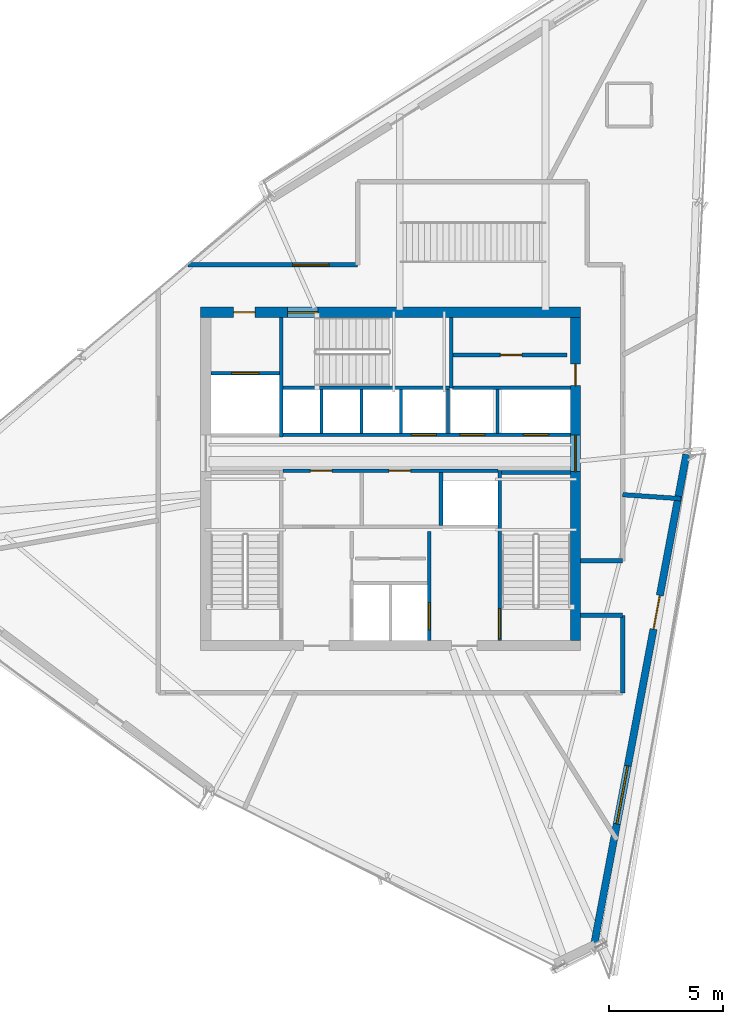
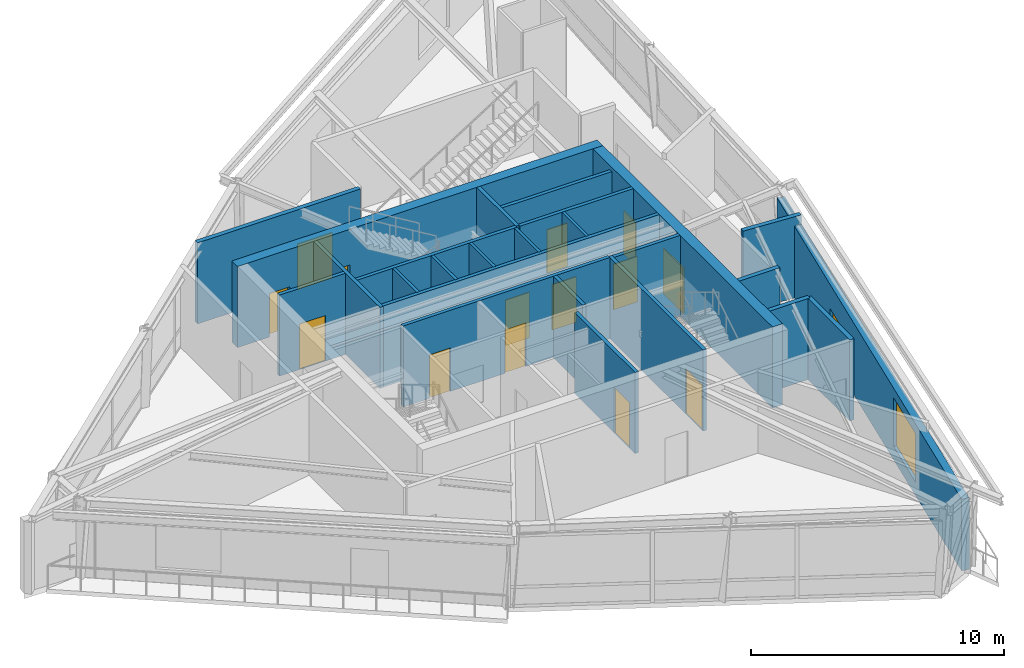
# One storey, part 17 of 21: 25 walls, 15 doors, 1 window, 16 openings.
"""IFC4 building model written with IfcOpenShell, lengths in metres."""

from ifc_helpers import new_model, si_unit, direction, frame, frame_2d, origin, place, context, subcontext, project, spatial, rectangle, extrude, source, transform, mapped, material, layer, layer_set, type_object, type_shapes, element, fill, save


model = new_model("IFC4")

# Units and contexts
model_context = context("Model", 3, precision=1e-05, world=origin(), true_north=direction((0.0, 1.0)))
body_context = subcontext(model_context, "Body", "Model", "MODEL_VIEW")
ifc_project = project(units=[si_unit("LENGTHUNIT", "METRE"), si_unit("AREAUNIT", "SQUARE_METRE"), si_unit("VOLUMEUNIT", "CUBIC_METRE"), si_unit("PLANEANGLEUNIT", "RADIAN"), si_unit("MASSUNIT", "GRAM", prefix="KILO")], contexts=[model_context])

# Site, building, storey
site_placement = place(None, origin())
site = spatial("IfcSite", under=ifc_project, at=site_placement, CompositionType="ELEMENT")
building_placement = place(site_placement, origin())
building = spatial("IfcBuilding", under=site, at=building_placement, Name="Olszyna Solenne Hotel", CompositionType="ELEMENT")
storey_placement = place(building_placement, frame((0.0, 0.0, 277.699951171875)))
storey = spatial("IfcBuildingStorey", under=building, at=storey_placement, Name="L74", CompositionType="ELEMENT", Elevation=277.699951171875)

# Wall, openings, doors
ifc_material_1 = material(Name="Concrete C50/60", Category="concrete")
ifc_layer_1 = layer(ifc_material_1, 0.449951171875, Name="Concrete C50/60")
ifc_layer_set_1 = layer_set([ifc_layer_1], Name="Concrete C50/60")
wall_type_1 = type_object("IfcWallType", Name="WL-CR450", PredefinedType="SHEAR", material=ifc_layer_set_1)
wall_1_placement = place(storey_placement, frame((29.64990234375, 33.925048828125, 0.0), z_axis=(0.0, 0.0, 1.0), x_axis=(1.0, 0.0, 0.0)))
wall_1 = element("IfcWall", 1, at=wall_1_placement, inside=storey, type_object=wall_type_1, Name="Core shear wall WL-CR450 CRW-L74-N", PredefinedType="SHEAR", context=body_context, shape_type="SweptSolid", body=[
    extrude(rectangle(XDim=16.7001953125, YDim=0.449951171875, at=frame_2d((8.35009765625, 0.0))), origin(), (0.0, 0.0, 1.0), 3.920166015625),
])
opening_1_placement = place(wall_1_placement, frame((1.449951171875, 0.0, 0.0)))
opening_1 = element("IfcOpeningElement", 2, at=opening_1_placement, cuts=wall_1, Name="Opening SVD-L74-01", PredefinedType="OPENING", context=body_context, shape_type="SweptSolid", body=[
    extrude(rectangle(XDim=0.949951171875, YDim=2.10009765625, at=frame_2d((0.47509765625, 1.050048828125))), frame((0.0, 0.23486328125, 0.0), z_axis=(0.0, -1.0, 0.0), x_axis=(1.0, 0.0, 0.0)), (0.0, 0.0, 1.0), 0.469970703125),
])
opening_2_placement = place(wall_1_placement, frame((3.830078125, 0.0, 0.0)))
opening_2 = element("IfcOpeningElement", 3, at=opening_2_placement, cuts=wall_1, Name="Opening STD-L74-03", PredefinedType="OPENING", context=body_context, shape_type="SweptSolid", body=[
    extrude(rectangle(XDim=1.320068359375, YDim=2.199951171875, at=frame_2d((0.66015625, 1.10009765625))), frame((0.0, 0.23486328125, 0.0), z_axis=(0.0, -1.0, 0.0), x_axis=(1.0, 0.0, 0.0)), (0.0, 0.0, 1.0), 0.469970703125),
])
ifc_material_2 = material(Name="Steel S355J2", Category="steel")
door_type_1 = type_object("IfcDoorType", Name="DR-ST1", OperationType="NOTDEFINED", PredefinedType="DOOR", material=ifc_material_2)
shared_shape_1 = source(origin(), body_context, "Body", "SweptSolid", [
    extrude(rectangle(XDim=1.320068359375, YDim=2.199951171875, at=frame_2d((0.66015625, 1.10009765625))), frame((0.0, 0.02490234375, 0.0), z_axis=(0.0, -1.0, 0.0), x_axis=(1.0, 0.0, 0.0)), (0.0, 0.0, 1.0), 0.050048828125),
])
type_shapes(door_type_1, [shared_shape_1])
door_1_placement = place(opening_2_placement, origin())
door_1 = element("IfcDoor", 4, at=door_1_placement, inside=storey, type_object=door_type_1, Name="Pressurised exit stair ST3 fire door STD-L74-03", OperationType="SINGLE_SWING_RIGHT", OverallHeight=2.199951171875, OverallWidth=1.320068359375, PredefinedType="DOOR", context=body_context, shape_type="MappedRepresentation", body=[
    mapped(shared_shape_1, transform((0.0, 0.0, 0.0), x_axis=(1.0, 0.0, 0.0), y_axis=(0.0, 1.0, 0.0), z_axis=(0.0, 0.0, 1.0), scale=1.0)),
])
fill(opening_2, door_1)
door_type_2 = type_object("IfcDoorType", Name="DR-SV1", OperationType="NOTDEFINED", PredefinedType="DOOR", material=ifc_material_2)
shared_shape_2 = source(origin(), body_context, "Body", "SweptSolid", [
    extrude(rectangle(XDim=0.949951171875, YDim=2.10009765625, at=frame_2d((0.47509765625, 1.050048828125))), frame((0.0, 0.02490234375, 0.0), z_axis=(0.0, -1.0, 0.0), x_axis=(1.0, 0.0, 0.0)), (0.0, 0.0, 1.0), 0.050048828125),
])
type_shapes(door_type_2, [shared_shape_2])
door_2_placement = place(opening_1_placement, origin())
door_2 = element("IfcDoor", 5, at=door_2_placement, inside=storey, type_object=door_type_2, Name="Service lift lobby fire door SVD-L74-01", OperationType="SINGLE_SWING_LEFT", OverallHeight=2.10009765625, OverallWidth=0.949951171875, PredefinedType="DOOR", context=body_context, shape_type="MappedRepresentation", body=[
    mapped(shared_shape_2, transform((0.0, 0.0, 0.0), x_axis=(1.0, 0.0, 0.0), y_axis=(0.0, 1.0, 0.0), z_axis=(0.0, 0.0, 1.0), scale=1.0)),
])
fill(opening_1, door_2)

wall_2_placement = place(storey_placement, frame((46.125, 33.699951171875, 0.0), z_axis=(0.0, 0.0, 1.0), x_axis=(0.0, -1.0, 0.0)))
wall_2 = element("IfcWall", 6, at=wall_2_placement, inside=storey, type_object=wall_type_1, Name="Core shear wall WL-CR450 CRW-L74-E", PredefinedType="SHEAR", context=body_context, shape_type="SweptSolid", body=[
    extrude(rectangle(XDim=14.199951171875, YDim=0.449951171875, at=frame_2d((7.10009765625, 0.0))), origin(), (0.0, 0.0, 1.0), 3.920166015625),
])
opening_3_placement = place(wall_2_placement, frame((5.179931640625, 0.0, 0.0)))
opening_3 = element("IfcOpeningElement", 7, at=opening_3_placement, cuts=wall_2, Name="Opening LHD-L74-E", PredefinedType="OPENING", context=body_context, shape_type="SweptSolid", body=[
    extrude(rectangle(XDim=1.60009765625, YDim=2.199951171875, at=frame_2d((0.800048828125, 1.10009765625))), frame((0.0, 0.23486328125, 0.0), z_axis=(0.0, -1.0, 0.0), x_axis=(1.0, 0.0, 0.0)), (0.0, 0.0, 1.0), 0.469970703125),
])
opening_4_placement = place(wall_2_placement, frame((2.050048828125, 0.0, 0.0)))
opening_4 = element("IfcOpeningElement", 8, at=opening_4_placement, cuts=wall_2, Name="Opening SVD-L74-BE", PredefinedType="OPENING", context=body_context, shape_type="SweptSolid", body=[
    extrude(rectangle(XDim=0.949951171875, YDim=2.10009765625, at=frame_2d((0.47509765625, 1.050048828125))), frame((0.0, 0.23486328125, 0.0), z_axis=(0.0, -1.0, 0.0), x_axis=(1.0, 0.0, 0.0)), (0.0, 0.0, 1.0), 0.469970703125),
])
door_3_placement = place(opening_4_placement, origin())
door_3 = element("IfcDoor", 9, at=door_3_placement, inside=storey, type_object=door_type_2, Name="Housekeeping core fire door SVD-L74-BE", OperationType="SINGLE_SWING_RIGHT", OverallHeight=2.10009765625, OverallWidth=0.949951171875, PredefinedType="DOOR", context=body_context, shape_type="MappedRepresentation", body=[
    mapped(shared_shape_2, transform((0.0, 0.0, 0.0), x_axis=(1.0, 0.0, 0.0), y_axis=(0.0, 1.0, 0.0), z_axis=(0.0, 0.0, 1.0), scale=1.0)),
])
fill(opening_4, door_3)
ifc_material_3 = material(Name="Timber hardwood", Category="wood")
door_type_3 = type_object("IfcDoorType", Name="DR-CR1", OperationType="DOUBLE_DOOR_SINGLE_SWING", PredefinedType="DOOR", material=ifc_material_3)
shared_shape_3 = source(origin(), body_context, "Body", "SweptSolid", [
    extrude(rectangle(XDim=1.60009765625, YDim=2.199951171875, at=frame_2d((0.800048828125, 1.10009765625))), frame((0.0, 0.02490234375, 0.0), z_axis=(0.0, -1.0, 0.0), x_axis=(1.0, 0.0, 0.0)), (0.0, 0.0, 1.0), 0.050048828125),
])
type_shapes(door_type_3, [shared_shape_3])
door_4_placement = place(opening_3_placement, origin())
door_4 = element("IfcDoor", 10, at=door_4_placement, inside=storey, type_object=door_type_3, Name="Passenger lift lobby East fire door LHD-L74-E", OperationType="DOUBLE_DOOR_SINGLE_SWING", OverallHeight=2.199951171875, OverallWidth=1.60009765625, PredefinedType="DOOR", context=body_context, shape_type="MappedRepresentation", body=[
    mapped(shared_shape_3, transform((0.0, 0.0, 0.0), x_axis=(1.0, 0.0, 0.0), y_axis=(0.0, 1.0, 0.0), z_axis=(0.0, 0.0, 1.0), scale=1.0)),
])
fill(opening_3, door_4)

# Wall, openings, door, window
ifc_material_4 = material(Name="Precast concrete C45/55", Category="concrete")
ifc_layer_2 = layer(ifc_material_4, 0.320068359375, Name="Precast concrete C45/55")
ifc_layer_set_2 = layer_set([ifc_layer_2], Name="Precast concrete C45/55")
wall_type_2 = type_object("IfcWallType", Name="WL-EX320", PredefinedType="SOLIDWALL", material=ifc_layer_set_2)
wall_3_placement = place(storey_placement, frame((50.99658203125, 27.672119140625, 0.0), z_axis=(0.0, 0.0, 1.0), x_axis=(-0.184819886047, -0.982772409931, 0.0)))
wall_3 = element("IfcWall", 11, at=wall_3_placement, inside=storey, type_object=wall_type_2, Name="Exterior terracotta-precast frame wall WL-EX320 EW-L74-01", PredefinedType="SOLIDWALL", context=body_context, shape_type="SweptSolid", body=[
    extrude(rectangle(XDim=22.053466796875, YDim=0.320068359375, at=frame_2d((11.02685546875, 0.0))), origin(), (0.0, 0.0, 1.0), 3.462158203125),
])
opening_5_placement = place(wall_3_placement, frame((6.306884765625, 0.0, 0.0)))
opening_5 = element("IfcOpeningElement", 12, at=opening_5_placement, cuts=wall_3, Name="Opening LDG-L74-3", PredefinedType="OPENING", context=body_context, shape_type="SweptSolid", body=[
    extrude(rectangle(XDim=1.5, YDim=2.300048828125, at=frame_2d((0.75, 1.14990234375))), frame((0.0, 0.169921875, 0.0), z_axis=(0.0, -1.0, 0.0), x_axis=(1.0, 0.0, 0.0)), (0.0, 0.0, 1.0), 0.340087890625),
])
opening_6_placement = place(wall_3_placement, frame((13.9189453125, 0.0, 0.64990234375)))
opening_6 = element("IfcOpeningElement", 13, at=opening_6_placement, cuts=wall_3, Name="Opening WN-L74-494", PredefinedType="OPENING", context=body_context, shape_type="SweptSolid", body=[
    extrude(rectangle(XDim=2.60009765625, YDim=2.35009765625, at=frame_2d((1.300048828125, 1.175048828125))), frame((0.0, 0.169921875, 0.0), z_axis=(0.0, -1.0, 0.0), x_axis=(1.0, 0.0, 0.0)), (0.0, 0.0, 1.0), 0.340087890625),
])
ifc_material_5 = material(Name="Anodised bronze aluminium", Category="aluminium")
door_type_4 = type_object("IfcDoorType", Name="DR-LG2", OperationType="DOUBLE_DOOR_SINGLE_SWING", PredefinedType="DOOR", material=ifc_material_5)
shared_shape_4 = source(origin(), body_context, "Body", "SweptSolid", [
    extrude(rectangle(XDim=1.5, YDim=2.300048828125, at=frame_2d((0.75, 1.14990234375))), frame((0.0, 0.02490234375, 0.0), z_axis=(0.0, -1.0, 0.0), x_axis=(1.0, 0.0, 0.0)), (0.0, 0.0, 1.0), 0.050048828125),
])
type_shapes(door_type_4, [shared_shape_4])
door_5_placement = place(opening_5_placement, origin())
door_5 = element("IfcDoor", 14, at=door_5_placement, inside=storey, type_object=door_type_4, Name="Exterior loggia balcony door DR-LG2 LDG-L74-3", OperationType="DOUBLE_DOOR_SINGLE_SWING", OverallHeight=2.300048828125, OverallWidth=1.5, PredefinedType="DOOR", context=body_context, shape_type="MappedRepresentation", body=[
    mapped(shared_shape_4, transform((0.0, 0.0, 0.0), x_axis=(1.0, 0.0, 0.0), y_axis=(0.0, 1.0, 0.0), z_axis=(0.0, 0.0, 1.0), scale=1.0)),
])
fill(opening_5, door_5)
ifc_material_6 = material(Name="Low-E triple glazing", Category="glass")
window_type = type_object("IfcWindowType", Name="WN-ST1", PartitioningType="SINGLE_PANEL", PredefinedType="WINDOW", material=ifc_material_6)
shared_shape_5 = source(origin(), body_context, "Body", "SweptSolid", [
    extrude(rectangle(XDim=2.60009765625, YDim=2.35009765625, at=frame_2d((1.300048828125, 1.175048828125))), frame((0.0, 0.030029296875, 0.0), z_axis=(0.0, -1.0, 0.0), x_axis=(1.0, 0.0, 0.0)), (0.0, 0.0, 1.0), 0.06005859375),
])
type_shapes(window_type, [shared_shape_5])
window_placement = place(opening_6_placement, origin())
window = element("IfcWindow", 15, at=window_placement, inside=storey, type_object=window_type, Name="Loggia room window WN-ST1 WN-L74-494", OverallHeight=2.35009765625, OverallWidth=2.60009765625, PartitioningType="SINGLE_PANEL", PredefinedType="WINDOW", context=body_context, shape_type="MappedRepresentation", body=[
    mapped(shared_shape_5, transform((0.0, 0.0, 0.0), x_axis=(1.0, 0.0, 0.0), y_axis=(0.0, 1.0, 0.0), z_axis=(0.0, 0.0, 1.0), scale=1.0)),
])
fill(opening_6, window)

# Walls
ifc_material_7 = material(Name="Acoustic gypsum partition", Category="gypsum")
ifc_layer_3 = layer(ifc_material_7, 0.125, Name="Acoustic gypsum partition")
ifc_layer_set_3 = layer_set([ifc_layer_3], Name="Acoustic gypsum partition")
wall_type_3 = type_object("IfcWallType", Name="WL-PT125", PredefinedType="PARTITIONING", material=ifc_layer_set_3)
for number, where, z_axis, x_axis, name in (
    (16, (34.965087890625, 28.60009765625, 0.0), (0.0, 0.0, 1.0), (0.0, 1.0, 0.0), "Core shaft compartment wall CW-L74-DIVN349"),
    (17, (36.715087890625, 28.60009765625, 0.0), (0.0, 0.0, 1.0), (0.0, 1.0, 0.0), "Core shaft compartment wall CW-L74-DIVN367"),
    (18, (38.465087890625, 28.60009765625, 0.0), (0.0, 0.0, 1.0), (0.0, 1.0, 0.0), "Core shaft compartment wall CW-L74-DIVN384"),
    (19, (40.52490234375, 28.60009765625, 0.0), (0.0, 0.0, 1.0), (0.0, 1.0, 0.0), "Core shaft compartment wall CW-L74-DIVEX405"),
    (20, (42.699951171875, 28.60009765625, 0.0), (0.0, 0.0, 1.0), (0.0, 1.0, 0.0), "Core shaft compartment wall CW-L74-DIVEX427"),
):
    element("IfcWall", number, at=place(storey_placement, frame(where, z_axis=z_axis, x_axis=x_axis)), inside=storey, type_object=wall_type_3, Name=name, PredefinedType="PARTITIONING", context=body_context, shape_type="SweptSolid", body=[
        extrude(rectangle(XDim=1.919921875, YDim=0.125, at=frame_2d((0.9599609375, 0.0))), origin(), (0.0, 0.0, 1.0), 3.920166015625),
    ])

# Wall, opening, door
ifc_layer_4 = layer(ifc_material_7, 0.159912109375, Name="Acoustic gypsum partition")
ifc_layer_set_4 = layer_set([ifc_layer_4], Name="Acoustic gypsum partition")
wall_type_4 = type_object("IfcWallType", Name="WL-PT160", PredefinedType="PARTITIONING", material=ifc_layer_set_4)
wall_4_placement = place(storey_placement, frame((42.800048828125, 26.9599609375, 0.0), z_axis=(0.0, 0.0, 1.0), x_axis=(0.0, -1.0, 0.0)))
wall_4 = element("IfcWall", 21, at=wall_4_placement, inside=storey, type_object=wall_type_4, Name="Core shaft compartment wall CW-L74-ST2W", PredefinedType="PARTITIONING", context=body_context, shape_type="SweptSolid", body=[
    extrude(rectangle(XDim=7.4599609375, YDim=0.159912109375, at=frame_2d((3.72998046875, 0.0))), origin(), (0.0, 0.0, 1.0), 3.920166015625),
])
opening_7_placement = place(wall_4_placement, frame((6.06005859375, 0.0, 0.0)))
opening_7 = element("IfcOpeningElement", 22, at=opening_7_placement, cuts=wall_4, Name="Opening STD-L74-02", PredefinedType="OPENING", context=body_context, shape_type="SweptSolid", body=[
    extrude(rectangle(XDim=1.320068359375, YDim=2.199951171875, at=frame_2d((0.66015625, 1.10009765625))), frame((0.0, 0.08984375, 0.0), z_axis=(0.0, -1.0, 0.0), x_axis=(1.0, 0.0, 0.0)), (0.0, 0.0, 1.0), 0.179931640625),
])
door_6_placement = place(opening_7_placement, origin())
door_6 = element("IfcDoor", 23, at=door_6_placement, inside=storey, type_object=door_type_1, Name="Pressurised exit stair ST2 fire door STD-L74-02", OperationType="SINGLE_SWING_RIGHT", OverallHeight=2.199951171875, OverallWidth=1.320068359375, PredefinedType="DOOR", context=body_context, shape_type="MappedRepresentation", body=[
    mapped(shared_shape_1, transform((0.0, 0.0, 0.0), x_axis=(1.0, 0.0, 0.0), y_axis=(0.0, 1.0, 0.0), z_axis=(0.0, 0.0, 1.0), scale=1.0)),
])
fill(opening_7, door_6)

# Walls
wall_5_placement = place(storey_placement, frame((42.8798828125, 26.8798828125, 0.0), z_axis=(0.0, 0.0, 1.0), x_axis=(1.0, 0.0, 0.0)))
element("IfcWall", 24, at=wall_5_placement, inside=storey, type_object=wall_type_4, Name="Core shaft compartment wall CW-L74-ST2N", PredefinedType="PARTITIONING", context=body_context, shape_type="SweptSolid", body=[
    extrude(rectangle(XDim=3.02001953125, YDim=0.159912109375, at=frame_2d((1.510009765625, 0.0))), origin(), (0.0, 0.0, 1.0), 3.920166015625),
])
wall_6_placement = place(storey_placement, frame((33.280029296875, 30.60009765625, 0.0), z_axis=(0.0, 0.0, 1.0), x_axis=(1.0, 0.0, 0.0)))
element("IfcWall", 25, at=wall_6_placement, inside=storey, type_object=wall_type_4, Name="Core shaft compartment wall CW-L74-ST3S", PredefinedType="PARTITIONING", context=body_context, shape_type="SweptSolid", body=[
    extrude(rectangle(XDim=7.300048828125, YDim=0.159912109375, at=frame_2d((3.64990234375, 0.0))), origin(), (0.0, 0.0, 1.0), 3.920166015625),
])
wall_7_placement = place(storey_placement, frame((40.659912109375, 30.60009765625, 0.0), z_axis=(0.0, 0.0, 1.0), x_axis=(0.0, 1.0, 0.0)))
element("IfcWall", 26, at=wall_7_placement, inside=storey, type_object=wall_type_4, Name="Core shaft compartment wall CW-L74-ST3E", PredefinedType="PARTITIONING", context=body_context, shape_type="SweptSolid", body=[
    extrude(rectangle(XDim=3.099853515625, YDim=0.159912109375, at=frame_2d((1.5498046875, 0.0))), origin(), (0.0, 0.0, 1.0), 3.920166015625),
])

# Wall, opening, door
wall_8_placement = place(storey_placement, frame((39.699951171875, 24.280029296875, 0.0), z_axis=(0.0, 0.0, 1.0), x_axis=(0.0, -1.0, 0.0)))
wall_8 = element("IfcWall", 27, at=wall_8_placement, inside=storey, type_object=wall_type_4, Name="Core shaft compartment wall CW-L74-FF2E", PredefinedType="PARTITIONING", context=body_context, shape_type="SweptSolid", body=[
    extrude(rectangle(XDim=4.780029296875, YDim=0.159912109375, at=frame_2d((2.39013671875, 0.0))), origin(), (0.0, 0.0, 1.0), 3.920166015625),
])
opening_8_placement = place(wall_8_placement, frame((3.1201171875, 0.0, 0.0)))
opening_8 = element("IfcOpeningElement", 28, at=opening_8_placement, cuts=wall_8, Name="Opening LD-L74-FF2", PredefinedType="OPENING", context=body_context, shape_type="SweptSolid", body=[
    extrude(rectangle(XDim=1.199951171875, YDim=2.199951171875, at=frame_2d((0.60009765625, 1.10009765625))), frame((0.0, 0.08984375, 0.0), z_axis=(0.0, -1.0, 0.0), x_axis=(1.0, 0.0, 0.0)), (0.0, 0.0, 1.0), 0.179931640625),
])
door_type_5 = type_object("IfcDoorType", Name="LD-FF1", OperationType="DOUBLE_DOOR_SLIDING", PredefinedType="DOOR", material=ifc_material_2)
shared_shape_6 = source(origin(), body_context, "Body", "SweptSolid", [
    extrude(rectangle(XDim=1.199951171875, YDim=2.199951171875, at=frame_2d((0.60009765625, 1.10009765625))), frame((0.0, 0.02490234375, 0.0), z_axis=(0.0, -1.0, 0.0), x_axis=(1.0, 0.0, 0.0)), (0.0, 0.0, 1.0), 0.050048828125),
])
type_shapes(door_type_5, [shared_shape_6])
door_7_placement = place(opening_8_placement, origin())
door_7 = element("IfcDoor", 29, at=door_7_placement, inside=storey, type_object=door_type_5, Name="Firefighters lift FF2 sliding landing door LD-L74-FF2", OperationType="DOUBLE_DOOR_SLIDING", OverallHeight=2.199951171875, OverallWidth=1.199951171875, PredefinedType="DOOR", context=body_context, shape_type="MappedRepresentation", body=[
    mapped(shared_shape_6, transform((0.0, 0.0, 0.0), x_axis=(1.0, 0.0, 0.0), y_axis=(0.0, 1.0, 0.0), z_axis=(0.0, 0.0, 1.0), scale=1.0)),
])
fill(opening_8, door_7)

# Wall
wall_9_placement = place(storey_placement, frame((33.199951171875, 28.43994140625, 0.0), z_axis=(0.0, 0.0, 1.0), x_axis=(0.0, 1.0, 0.0)))
element("IfcWall", 30, at=wall_9_placement, inside=storey, type_object=wall_type_4, Name="Core shaft compartment wall CW-L74-SV1E", PredefinedType="PARTITIONING", context=body_context, shape_type="SweptSolid", body=[
    extrude(rectangle(XDim=5.260009765625, YDim=0.159912109375, at=frame_2d((2.6298828125, 0.0))), origin(), (0.0, 0.0, 1.0), 3.920166015625),
])

# Wall, opening, door
wall_10_placement = place(storey_placement, frame((30.10009765625, 31.239990234375, 0.0), z_axis=(0.0, 0.0, 1.0), x_axis=(1.0, 0.0, 0.0)))
wall_10 = element("IfcWall", 31, at=wall_10_placement, inside=storey, type_object=wall_type_4, Name="Core shaft compartment wall CW-L74-SV1N", PredefinedType="PARTITIONING", context=body_context, shape_type="SweptSolid", body=[
    extrude(rectangle(XDim=3.02001953125, YDim=0.159912109375, at=frame_2d((1.510009765625, 0.0))), origin(), (0.0, 0.0, 1.0), 3.920166015625),
])
opening_9_placement = place(wall_10_placement, frame((0.909912109375, 0.0, 0.0)))
opening_9 = element("IfcOpeningElement", 32, at=opening_9_placement, cuts=wall_10, Name="Opening LD-L74-SV1", PredefinedType="OPENING", context=body_context, shape_type="SweptSolid", body=[
    extrude(rectangle(XDim=1.199951171875, YDim=2.199951171875, at=frame_2d((0.60009765625, 1.10009765625))), frame((0.0, 0.08984375, 0.0), z_axis=(0.0, -1.0, 0.0), x_axis=(1.0, 0.0, 0.0)), (0.0, 0.0, 1.0), 0.179931640625),
])
door_8_placement = place(opening_9_placement, origin())
door_8 = element("IfcDoor", 33, at=door_8_placement, inside=storey, type_object=door_type_5, Name="Service lift SV1 sliding landing door LD-L74-SV1", OperationType="DOUBLE_DOOR_SLIDING", OverallHeight=2.199951171875, OverallWidth=1.199951171875, PredefinedType="DOOR", context=body_context, shape_type="MappedRepresentation", body=[
    mapped(shared_shape_6, transform((0.0, 0.0, 0.0), x_axis=(1.0, 0.0, 0.0), y_axis=(0.0, 1.0, 0.0), z_axis=(0.0, 0.0, 1.0), scale=1.0)),
])
fill(opening_9, door_8)

# Wall, openings, doors
wall_11_placement = place(storey_placement, frame((33.280029296875, 26.949951171875, 0.0), z_axis=(0.0, 0.0, 1.0), x_axis=(1.0, 0.0, 0.0)))
wall_11 = element("IfcWall", 34, at=wall_11_placement, inside=storey, type_object=wall_type_4, Name="Core shaft compartment wall CW-L74-LRS", PredefinedType="PARTITIONING", context=body_context, shape_type="SweptSolid", body=[
    extrude(rectangle(XDim=9.43994140625, YDim=0.159912109375, at=frame_2d((4.719970703125, 0.0))), origin(), (0.0, 0.0, 1.0), 3.920166015625),
])
opening_10_placement = place(wall_11_placement, frame((1.199951171875, 0.0, 0.0)))
opening_10 = element("IfcOpeningElement", 35, at=opening_10_placement, cuts=wall_11, Name="Opening SVD-L74-L71", PredefinedType="OPENING", context=body_context, shape_type="SweptSolid", body=[
    extrude(rectangle(XDim=0.949951171875, YDim=2.10009765625, at=frame_2d((0.47509765625, 1.050048828125))), frame((0.0, 0.08984375, 0.0), z_axis=(0.0, -1.0, 0.0), x_axis=(1.0, 0.0, 0.0)), (0.0, 0.0, 1.0), 0.179931640625),
])
opening_11_placement = place(wall_11_placement, frame((4.64990234375, 0.0, 0.0)))
opening_11 = element("IfcOpeningElement", 36, at=opening_11_placement, cuts=wall_11, Name="Opening SVD-L74-L72", PredefinedType="OPENING", context=body_context, shape_type="SweptSolid", body=[
    extrude(rectangle(XDim=0.949951171875, YDim=2.10009765625, at=frame_2d((0.47509765625, 1.050048828125))), frame((0.0, 0.08984375, 0.0), z_axis=(0.0, -1.0, 0.0), x_axis=(1.0, 0.0, 0.0)), (0.0, 0.0, 1.0), 0.179931640625),
])
door_9_placement = place(opening_10_placement, origin())
door_9 = element("IfcDoor", 37, at=door_9_placement, inside=storey, type_object=door_type_2, Name="Recaptured core room fire door SVD-L74-L71", OperationType="SINGLE_SWING_LEFT", OverallHeight=2.10009765625, OverallWidth=0.949951171875, PredefinedType="DOOR", context=body_context, shape_type="MappedRepresentation", body=[
    mapped(shared_shape_2, transform((0.0, 0.0, 0.0), x_axis=(1.0, 0.0, 0.0), y_axis=(0.0, 1.0, 0.0), z_axis=(0.0, 0.0, 1.0), scale=1.0)),
])
fill(opening_10, door_9)
door_10_placement = place(opening_11_placement, origin())
door_10 = element("IfcDoor", 38, at=door_10_placement, inside=storey, type_object=door_type_2, Name="Recaptured core room fire door SVD-L74-L72", OperationType="SINGLE_SWING_RIGHT", OverallHeight=2.10009765625, OverallWidth=0.949951171875, PredefinedType="DOOR", context=body_context, shape_type="MappedRepresentation", body=[
    mapped(shared_shape_2, transform((0.0, 0.0, 0.0), x_axis=(1.0, 0.0, 0.0), y_axis=(0.0, 1.0, 0.0), z_axis=(0.0, 0.0, 1.0), scale=1.0)),
])
fill(opening_11, door_10)

# Wall
wall_12_placement = place(storey_placement, frame((40.215087890625, 24.56005859375, 0.0), z_axis=(0.0, 0.0, 1.0), x_axis=(0.0, 1.0, 0.0)))
element("IfcWall", 39, at=wall_12_placement, inside=storey, type_object=wall_type_4, Name="Core shaft compartment wall CW-L74-LV7DIV2", PredefinedType="PARTITIONING", context=body_context, shape_type="SweptSolid", body=[
    extrude(rectangle(XDim=2.31005859375, YDim=0.159912109375, at=frame_2d((1.155029296875, 0.0))), origin(), (0.0, 0.0, 1.0), 3.920166015625),
])

# Wall, openings, doors
wall_13_placement = place(storey_placement, frame((33.280029296875, 28.5400390625, 0.0), z_axis=(0.0, 0.0, 1.0), x_axis=(1.0, 0.0, 0.0)))
wall_13 = element("IfcWall", 40, at=wall_13_placement, inside=storey, type_object=wall_type_4, Name="Core shaft compartment wall CW-L74-LRN", PredefinedType="PARTITIONING", context=body_context, shape_type="SweptSolid", body=[
    extrude(rectangle(XDim=12.619873046875, YDim=0.159912109375, at=frame_2d((6.31005859375, 0.0))), origin(), (0.0, 0.0, 1.0), 3.920166015625),
])
opening_12_placement = place(wall_13_placement, frame((5.6298828125, 0.0, 0.0)))
opening_12 = element("IfcOpeningElement", 41, at=opening_12_placement, cuts=wall_13, Name="Opening LD-L74-EX1", PredefinedType="OPENING", context=body_context, shape_type="SweptSolid", body=[
    extrude(rectangle(XDim=1.10009765625, YDim=2.199951171875, at=frame_2d((0.550048828125, 1.10009765625))), frame((0.0, 0.08984375, 0.0), z_axis=(0.0, -1.0, 0.0), x_axis=(1.0, 0.0, 0.0)), (0.0, 0.0, 1.0), 0.179931640625),
])
opening_13_placement = place(wall_13_placement, frame((7.760009765625, 0.0, 0.0)))
opening_13 = element("IfcOpeningElement", 42, at=opening_13_placement, cuts=wall_13, Name="Opening LD-L74-EX2", PredefinedType="OPENING", context=body_context, shape_type="SweptSolid", body=[
    extrude(rectangle(XDim=1.10009765625, YDim=2.199951171875, at=frame_2d((0.550048828125, 1.10009765625))), frame((0.0, 0.08984375, 0.0), z_axis=(0.0, -1.0, 0.0), x_axis=(1.0, 0.0, 0.0)), (0.0, 0.0, 1.0), 0.179931640625),
])
opening_14_placement = place(wall_13_placement, frame((10.56005859375, 0.0, 0.0)))
opening_14 = element("IfcOpeningElement", 43, at=opening_14_placement, cuts=wall_13, Name="Opening LD-L74-EX3", PredefinedType="OPENING", context=body_context, shape_type="SweptSolid", body=[
    extrude(rectangle(XDim=1.10009765625, YDim=2.199951171875, at=frame_2d((0.550048828125, 1.10009765625))), frame((0.0, 0.08984375, 0.0), z_axis=(0.0, -1.0, 0.0), x_axis=(1.0, 0.0, 0.0)), (0.0, 0.0, 1.0), 0.179931640625),
])
door_type_6 = type_object("IfcDoorType", Name="LD-P1", OperationType="DOUBLE_DOOR_SLIDING", PredefinedType="DOOR", material=ifc_material_2)
shared_shape_7 = source(origin(), body_context, "Body", "SweptSolid", [
    extrude(rectangle(XDim=1.10009765625, YDim=2.199951171875, at=frame_2d((0.550048828125, 1.10009765625))), frame((0.0, 0.02490234375, 0.0), z_axis=(0.0, -1.0, 0.0), x_axis=(1.0, 0.0, 0.0)), (0.0, 0.0, 1.0), 0.050048828125),
])
type_shapes(door_type_6, [shared_shape_7])
door_11_placement = place(opening_12_placement, origin())
door_11 = element("IfcDoor", 44, at=door_11_placement, inside=storey, type_object=door_type_6, Name="Express lift EX1 sliding landing door LD-L74-EX1", OperationType="DOUBLE_DOOR_SLIDING", OverallHeight=2.199951171875, OverallWidth=1.10009765625, PredefinedType="DOOR", context=body_context, shape_type="MappedRepresentation", body=[
    mapped(shared_shape_7, transform((0.0, 0.0, 0.0), x_axis=(1.0, 0.0, 0.0), y_axis=(0.0, 1.0, 0.0), z_axis=(0.0, 0.0, 1.0), scale=1.0)),
])
fill(opening_12, door_11)
door_12_placement = place(opening_13_placement, origin())
door_12 = element("IfcDoor", 45, at=door_12_placement, inside=storey, type_object=door_type_6, Name="Express lift EX2 sliding landing door LD-L74-EX2", OperationType="DOUBLE_DOOR_SLIDING", OverallHeight=2.199951171875, OverallWidth=1.10009765625, PredefinedType="DOOR", context=body_context, shape_type="MappedRepresentation", body=[
    mapped(shared_shape_7, transform((0.0, 0.0, 0.0), x_axis=(1.0, 0.0, 0.0), y_axis=(0.0, 1.0, 0.0), z_axis=(0.0, 0.0, 1.0), scale=1.0)),
])
fill(opening_13, door_12)
door_13_placement = place(opening_14_placement, origin())
door_13 = element("IfcDoor", 46, at=door_13_placement, inside=storey, type_object=door_type_6, Name="Express lift EX3 sliding landing door LD-L74-EX3", OperationType="DOUBLE_DOOR_SLIDING", OverallHeight=2.199951171875, OverallWidth=1.10009765625, PredefinedType="DOOR", context=body_context, shape_type="MappedRepresentation", body=[
    mapped(shared_shape_7, transform((0.0, 0.0, 0.0), x_axis=(1.0, 0.0, 0.0), y_axis=(0.0, 1.0, 0.0), z_axis=(0.0, 0.0, 1.0), scale=1.0)),
])
fill(opening_14, door_13)

# Wall
wall_14_placement = place(storey_placement, frame((40.719970703125, 30.60009765625, 0.0), z_axis=(0.0, 0.0, 1.0), x_axis=(1.0, 0.0, 0.0)))
element("IfcWall", 47, at=wall_14_placement, inside=storey, type_object=wall_type_4, Name="Core shaft compartment wall CW-L74-LRNTOP", PredefinedType="PARTITIONING", context=body_context, shape_type="SweptSolid", body=[
    extrude(rectangle(XDim=5.179931640625, YDim=0.159912109375, at=frame_2d((2.58984375, 0.0))), origin(), (0.0, 0.0, 1.0), 3.920166015625),
])

# Wall, opening, door
wall_15_placement = place(storey_placement, frame((40.719970703125, 32.0458984375, 0.0), z_axis=(0.0, 0.0, 1.0), x_axis=(1.0, 0.0, 0.0)))
wall_15 = element("IfcWall", 48, at=wall_15_placement, inside=storey, type_object=wall_type_4, Name="Core shaft compartment wall CW-L74-BOH2", PredefinedType="PARTITIONING", context=body_context, shape_type="SweptSolid", body=[
    extrude(rectangle(XDim=5.030029296875, YDim=0.159912109375, at=frame_2d((2.51513671875, 0.0))), origin(), (0.0, 0.0, 1.0), 3.920166015625),
])
opening_15_placement = place(wall_15_placement, frame((2.10009765625, 0.0, 0.0)))
opening_15 = element("IfcOpeningElement", 49, at=opening_15_placement, cuts=wall_15, Name="Opening SVD-L74-BI2", PredefinedType="OPENING", context=body_context, shape_type="SweptSolid", body=[
    extrude(rectangle(XDim=0.949951171875, YDim=2.10009765625, at=frame_2d((0.47509765625, 1.050048828125))), frame((0.0, 0.08984375, 0.0), z_axis=(0.0, -1.0, 0.0), x_axis=(1.0, 0.0, 0.0)), (0.0, 0.0, 1.0), 0.179931640625),
])
door_14_placement = place(opening_15_placement, origin())
door_14 = element("IfcDoor", 50, at=door_14_placement, inside=storey, type_object=door_type_2, Name="BOH inter-room fire door SVD-L74-BI2", OperationType="SINGLE_SWING_RIGHT", OverallHeight=2.10009765625, OverallWidth=0.949951171875, PredefinedType="DOOR", context=body_context, shape_type="MappedRepresentation", body=[
    mapped(shared_shape_2, transform((0.0, 0.0, 0.0), x_axis=(1.0, 0.0, 0.0), y_axis=(0.0, 1.0, 0.0), z_axis=(0.0, 0.0, 1.0), scale=1.0)),
])
fill(opening_15, door_14)

# Wall
ifc_layer_5 = layer(ifc_material_7, 0.199951171875, Name="Acoustic gypsum partition")
ifc_layer_set_5 = layer_set([ifc_layer_5], Name="Acoustic gypsum partition")
wall_type_5 = type_object("IfcWallType", Name="WL-PT200", PredefinedType="PARTITIONING", material=ifc_layer_set_5)
wall_16_placement = place(storey_placement, frame((48.199951171875, 25.904541015625, 0.0), z_axis=(0.0, 0.0, 1.0), x_axis=(0.997689551273, -0.067937907539, 0.0)))
element("IfcWall", 51, at=wall_16_placement, inside=storey, type_object=wall_type_5, Name="Interior acoustic partition WL-PT200 PW-L74-4056", PredefinedType="PARTITIONING", context=body_context, shape_type="SweptSolid", body=[
    extrude(rectangle(XDim=2.5693359375, YDim=0.199951171875, at=frame_2d((1.28466796875, 0.0))), origin(), (0.0, 0.0, 1.0), 3.920166015625),
])

# Wall, opening, door
wall_17_placement = place(storey_placement, frame((29.10107421875, 36.0, 0.0), z_axis=(0.0, 0.0, 1.0), x_axis=(1.0, 0.0, 0.0)))
wall_17 = element("IfcWall", 52, at=wall_17_placement, inside=storey, type_object=wall_type_5, Name="Interior acoustic partition WL-PT200 PW-L74-4064", PredefinedType="PARTITIONING", context=body_context, shape_type="SweptSolid", body=[
    extrude(rectangle(XDim=7.448974609375, YDim=0.199951171875, at=frame_2d((3.724609375, 0.0))), origin(), (0.0, 0.0, 1.0), 3.920166015625),
])
opening_16_placement = place(wall_17_placement, frame((4.59912109375, 0.0, 0.0)))
opening_16 = element("IfcOpeningElement", 53, at=opening_16_placement, cuts=wall_17, Name="Opening DR-L74-0985", PredefinedType="OPENING", context=body_context, shape_type="SweptSolid", body=[
    extrude(rectangle(XDim=1.60009765625, YDim=2.199951171875, at=frame_2d((0.800048828125, 1.10009765625))), frame((0.0, 0.10986328125, 0.0), z_axis=(0.0, -1.0, 0.0), x_axis=(1.0, 0.0, 0.0)), (0.0, 0.0, 1.0), 0.219970703125),
])
door_15_placement = place(opening_16_placement, origin())
door_15 = element("IfcDoor", 54, at=door_15_placement, inside=storey, type_object=door_type_3, Name="Sky Restaurant Dining Hall Entrance Door DR-L74-0985", OperationType="DOUBLE_DOOR_SINGLE_SWING", OverallHeight=2.199951171875, OverallWidth=1.60009765625, PredefinedType="DOOR", context=body_context, shape_type="MappedRepresentation", body=[
    mapped(shared_shape_3, transform((0.0, 0.0, 0.0), x_axis=(1.0, 0.0, 0.0), y_axis=(0.0, 1.0, 0.0), z_axis=(0.0, 0.0, 1.0), scale=1.0)),
])
fill(opening_16, door_15)

# Walls
wall_18_placement = place(storey_placement, frame((48.199951171875, 17.199951171875, 0.0), z_axis=(0.0, 0.0, 1.0), x_axis=(0.0, 1.0, 0.0)))
element("IfcWall", 55, at=wall_18_placement, inside=storey, type_object=wall_type_5, Name="Interior acoustic partition WL-PT200 PW-L74-4066", PredefinedType="PARTITIONING", context=body_context, shape_type="SweptSolid", body=[
    extrude(rectangle(XDim=3.400146484375, YDim=0.199951171875, at=frame_2d((1.7001953125, 0.0))), origin(), (0.0, 0.0, 1.0), 3.920166015625),
])
for number, where, z_axis, x_axis, name in (
    (56, (46.35009765625, 20.60009765625, 0.0), (0.0, 0.0, 1.0), (1.0, 0.0, 0.0), "Interior acoustic partition WL-PT200 PW-L74-4067"),
    (57, (46.35009765625, 23.0, 0.0), (0.0, 0.0, 1.0), (1.0, 0.0, 0.0), "Interior acoustic partition WL-PT200 PW-L74-4069"),
):
    element("IfcWall", number, at=place(storey_placement, frame(where, z_axis=z_axis, x_axis=x_axis)), inside=storey, type_object=wall_type_5, Name=name, PredefinedType="PARTITIONING", context=body_context, shape_type="SweptSolid", body=[
        extrude(rectangle(XDim=1.849853515625, YDim=0.199951171875, at=frame_2d((0.9248046875, 0.0))), origin(), (0.0, 0.0, 1.0), 3.920166015625),
    ])

save(model, "model.ifc")
